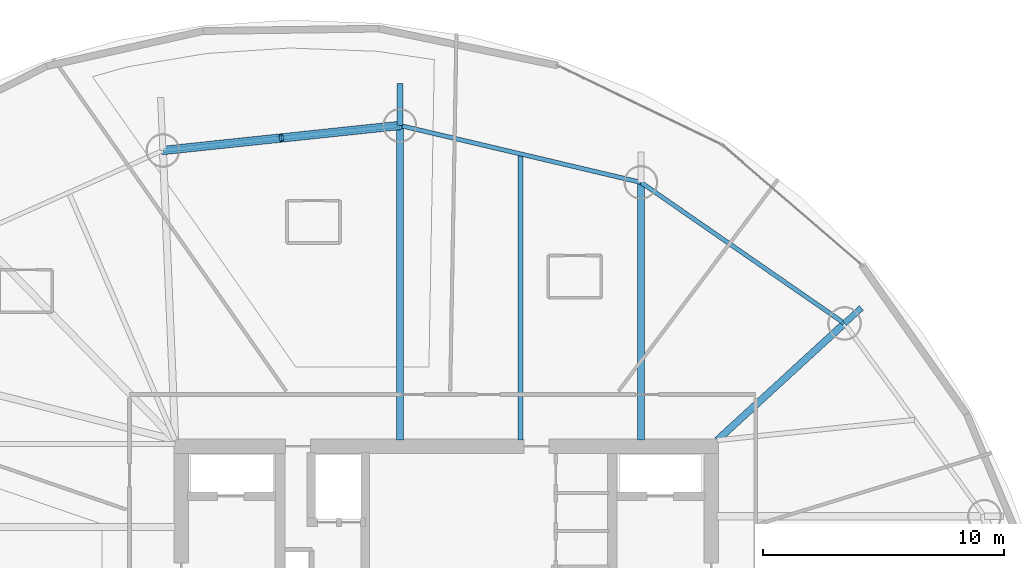
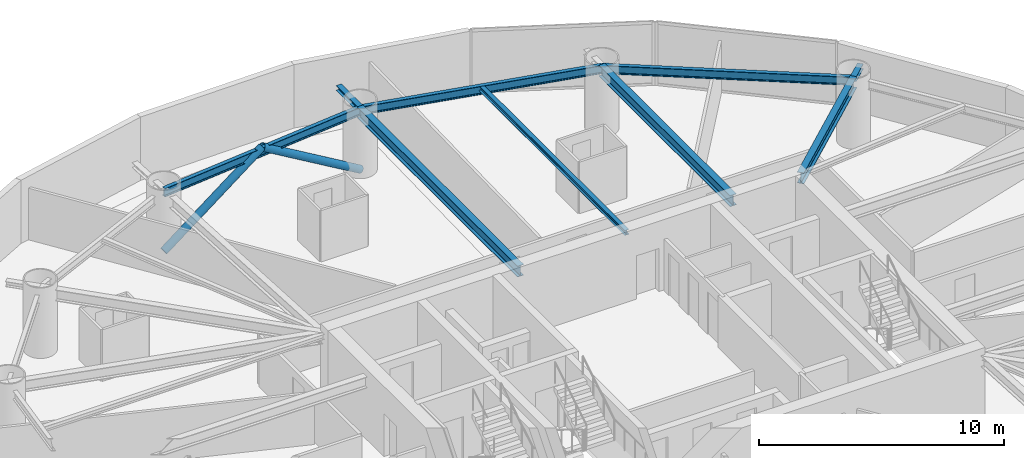
# One storey, part 13 of 21: 9 beams, 2 members.
"""IFC4 building model written with IfcOpenShell, lengths in metres."""

from ifc_helpers import new_model, si_unit, direction, frame, origin, origin_2d, place, context, subcontext, project, spatial, hollow_circle, i_section, extrude, material, material_profile, profile_set, type_object, element, save


model = new_model("IFC4")

# Units and contexts
model_context = context("Model", 3, precision=1e-05, world=origin(), true_north=direction((0.0, 1.0)))
body_context = subcontext(model_context, "Body", "Model", "MODEL_VIEW")
ifc_project = project(units=[si_unit("LENGTHUNIT", "METRE"), si_unit("AREAUNIT", "SQUARE_METRE"), si_unit("VOLUMEUNIT", "CUBIC_METRE"), si_unit("PLANEANGLEUNIT", "RADIAN"), si_unit("MASSUNIT", "GRAM", prefix="KILO")], contexts=[model_context])

# Site, building, storey
site_placement = place(None, origin())
site = spatial("IfcSite", under=ifc_project, at=site_placement, CompositionType="ELEMENT")
building_placement = place(site_placement, origin())
building = spatial("IfcBuilding", under=site, at=building_placement, Name="Bramvorn Convention Spire", CompositionType="ELEMENT")
storey_placement = place(building_placement, frame((0.0, 0.0, 162.300048828125)))
storey = spatial("IfcBuildingStorey", under=building, at=storey_placement, Name="L41", CompositionType="ELEMENT", Elevation=162.300048828125)

# Beams
ifc_material = material(Name="Steel CSA G40.21 Grade 350 (350W)", Category="steel")
ifc_material_profile_1 = material_profile(ifc_material, i_section(OverallWidth=0.201904296875, OverallDepth=0.2470703125, WebThickness=0.00732421875, FlangeThickness=0.010986328125, FilletRadius=0.011962890625, at=origin_2d()))
ifc_profile_set_1 = profile_set([ifc_material_profile_1], Name="Steel CSA G40.21 Grade 350 (350W) - W250X49")
beam_type_1 = type_object("IfcBeamType", Name="BM-W250X49", PredefinedType="JOIST", material=ifc_profile_set_1)
beam_1_placement = place(storey_placement, frame((41.079345703125, 33.449951171875, 3.0263671875), z_axis=(0.0, 1.0, 0.0), x_axis=(-1.0, 0.0, 0.0)))
element("IfcBeam", 1, at=beam_1_placement, inside=storey, type_object=beam_type_1, Name="L41 composite floor joist 05", PredefinedType="JOIST", context=body_context, shape_type="SweptSolid", body=[
    extrude(i_section(OverallWidth=0.201904296875, OverallDepth=0.2470703125, WebThickness=0.00732421875, FlangeThickness=0.010986328125, FilletRadius=0.011962890625, at=origin_2d()), origin(), (0.0, 0.0, 1.0), 11.8857421875),
])
ifc_material_profile_2 = material_profile(ifc_material, i_section(OverallWidth=0.25390625, OverallDepth=0.2529296875, WebThickness=0.008544921875, FlangeThickness=0.01416015625, FilletRadius=0.011962890625, at=origin_2d()))
ifc_profile_set_2 = profile_set([ifc_material_profile_2], Name="Steel CSA G40.21 Grade 350 (350W) - W250X73")
beam_type_2 = type_object("IfcBeamType", Name="BM-W250X73", PredefinedType="BEAM", material=ifc_profile_set_2)
beam_2_placement = place(storey_placement, frame((54.534912109375, 38.299072265625, 3.0234375), z_axis=(0.736770135327, 0.676143304108, 0.0), x_axis=(-0.676143304108, 0.736770135327, 0.0)))
element("IfcBeam", 2, at=beam_2_placement, inside=storey, type_object=beam_type_2, Name="L41 slab-edge cantilever tip beam MC04", PredefinedType="BEAM", context=body_context, shape_type="SweptSolid", body=[
    extrude(i_section(OverallWidth=0.25390625, OverallDepth=0.2529296875, WebThickness=0.008544921875, FlangeThickness=0.01416015625, FilletRadius=0.011962890625, at=origin_2d()), origin(), (0.0, 0.0, 1.0), 0.950439453125),
])
beam_3_placement = place(storey_placement, frame((36.075927734375, 46.517333984375, 3.0234375), z_axis=(0.0, 1.0, 0.0), x_axis=(-1.0, 0.0, 0.0)))
element("IfcBeam", 3, at=beam_3_placement, inside=storey, type_object=beam_type_2, Name="L41 slab-edge cantilever tip beam MC06", PredefinedType="BEAM", context=body_context, shape_type="SweptSolid", body=[
    extrude(i_section(OverallWidth=0.25390625, OverallDepth=0.2529296875, WebThickness=0.008544921875, FlangeThickness=0.01416015625, FilletRadius=0.011962890625, at=origin_2d()), origin(), (0.0, 0.0, 1.0), 1.740966796875),
])
ifc_material_profile_3 = material_profile(ifc_material, i_section(OverallWidth=0.180908203125, OverallDepth=0.4169921875, WebThickness=0.010986328125, FlangeThickness=0.018310546875, FilletRadius=0.01611328125, at=origin_2d()))
ifc_profile_set_3 = profile_set([ifc_material_profile_3], Name="Steel CSA G40.21 Grade 350 (350W) - W410X85")
beam_type_3 = type_object("IfcBeamType", Name="BM-W410X85", PredefinedType="JOIST", material=ifc_profile_set_3)
beam_4_placement = place(storey_placement, frame((54.534912109375, 38.299072265625, 2.94140625), z_axis=(-0.822033166673, 0.569439613032, 0.0), x_axis=(-0.569439613032, -0.822033166673, 0.0)))
element("IfcBeam", 4, at=beam_4_placement, inside=storey, type_object=beam_type_3, Name="L41 mega-column ring beam 04", PredefinedType="JOIST", context=body_context, shape_type="SweptSolid", body=[
    extrude(i_section(OverallWidth=0.180908203125, OverallDepth=0.4169921875, WebThickness=0.010986328125, FlangeThickness=0.018310546875, FilletRadius=0.01611328125, at=origin_2d()), origin(), (0.0, 0.0, 1.0), 10.281982421875),
])
beam_5_placement = place(storey_placement, frame((46.082763671875, 44.154052734375, 2.94140625), z_axis=(-0.97322750491, 0.229843911572, 0.0), x_axis=(-0.229843911572, -0.97322750491, 0.0)))
element("IfcBeam", 5, at=beam_5_placement, inside=storey, type_object=beam_type_3, Name="L41 mega-column ring beam 05", PredefinedType="JOIST", context=body_context, shape_type="SweptSolid", body=[
    extrude(i_section(OverallWidth=0.180908203125, OverallDepth=0.4169921875, WebThickness=0.010986328125, FlangeThickness=0.018310546875, FilletRadius=0.01611328125, at=origin_2d()), origin(), (0.0, 0.0, 1.0), 10.2822265625),
])
beam_6_placement = place(storey_placement, frame((36.075927734375, 46.517333984375, 2.94140625), z_axis=(-0.994473491975, -0.104987969596, 0.0), x_axis=(0.104987969596, -0.994473491975, 0.0)))
element("IfcBeam", 6, at=beam_6_placement, inside=storey, type_object=beam_type_3, Name="L41 mega-column ring beam 06", PredefinedType="JOIST", context=body_context, shape_type="SweptSolid", body=[
    extrude(i_section(OverallWidth=0.180908203125, OverallDepth=0.4169921875, WebThickness=0.010986328125, FlangeThickness=0.018310546875, FilletRadius=0.01611328125, at=origin_2d()), origin(), (0.0, 0.0, 1.0), 9.892333984375),
])
ifc_material_profile_4 = material_profile(ifc_material, i_section(OverallWidth=0.2919921875, OverallDepth=0.551025390625, WebThickness=0.01513671875, FlangeThickness=0.0244140625, FilletRadius=0.01904296875, at=origin_2d()))
ifc_profile_set_4 = profile_set([ifc_material_profile_4], Name="Steel CSA G40.21 Grade 350 (350W) - W530X182")
beam_type_4 = type_object("IfcBeamType", Name="BM-W530X182", PredefinedType="BEAM", material=ifc_profile_set_4)
beam_7_placement = place(storey_placement, frame((49.25, 33.449951171875, 2.87451171875), z_axis=(0.736833323746, 0.676074443399, 0.0), x_axis=(-0.676074443399, 0.736833323746, 0.0)))
element("IfcBeam", 7, at=beam_7_placement, inside=storey, type_object=beam_type_4, Name="L41 radial floor girder MC04", PredefinedType="BEAM", context=body_context, shape_type="SweptSolid", body=[
    extrude(i_section(OverallWidth=0.2919921875, OverallDepth=0.551025390625, WebThickness=0.01513671875, FlangeThickness=0.0244140625, FilletRadius=0.01904296875, at=origin_2d()), origin(), (0.0, 0.0, 1.0), 7.17236328125),
])
beam_8_placement = place(storey_placement, frame((46.082763671875, 33.449951171875, 2.87451171875), z_axis=(0.0, 1.0, 0.0), x_axis=(-1.0, 0.0, 0.0)))
element("IfcBeam", 8, at=beam_8_placement, inside=storey, type_object=beam_type_4, Name="L41 radial floor girder MC05", PredefinedType="BEAM", context=body_context, shape_type="SweptSolid", body=[
    extrude(i_section(OverallWidth=0.2919921875, OverallDepth=0.551025390625, WebThickness=0.01513671875, FlangeThickness=0.0244140625, FilletRadius=0.01904296875, at=origin_2d()), origin(), (0.0, 0.0, 1.0), 10.7041015625),
])
beam_9_placement = place(storey_placement, frame((36.075927734375, 33.449951171875, 2.87451171875), z_axis=(0.0, 1.0, 0.0), x_axis=(-1.0, 0.0, 0.0)))
element("IfcBeam", 9, at=beam_9_placement, inside=storey, type_object=beam_type_4, Name="L41 radial floor girder MC06", PredefinedType="BEAM", context=body_context, shape_type="SweptSolid", body=[
    extrude(i_section(OverallWidth=0.2919921875, OverallDepth=0.551025390625, WebThickness=0.01513671875, FlangeThickness=0.0244140625, FilletRadius=0.01904296875, at=origin_2d()), origin(), (0.0, 0.0, 1.0), 13.0673828125),
])

# Members
ifc_material_profile_5 = material_profile(ifc_material, hollow_circle(Radius=0.177734375, WallThickness=0.015869140625, at=origin_2d()))
ifc_profile_set_5 = profile_set([ifc_material_profile_5], Name="Steel CSA G40.21 Grade 350 (350W) - CHS356X16")
member_type = type_object("IfcMemberType", Name="MBR-CHS356X16", PredefinedType="BRACE", material=ifc_profile_set_5)
member_1_placement = place(storey_placement, frame((36.075927734375, 46.517333984375, 0.0), z_axis=(-0.83882481606, -0.088553721648, 0.53715097165), x_axis=(0.104985392894, -0.994473763997, 0.0)))
element("IfcMember", 10, at=member_1_placement, inside=storey, type_object=member_type, Name="L41 perimeter Gothic lancet brace 6A", PredefinedType="BRACE", context=body_context, shape_type="SweptSolid", body=[
    extrude(hollow_circle(Radius=0.177734375, WallThickness=0.015869140625, at=origin_2d()), origin(), (0.0, 0.0, 1.0), 5.864013671875),
])
member_2_placement = place(storey_placement, frame((26.23828125, 45.478759765625, 0.0), z_axis=(0.838812476473, 0.088556814288, 0.53716973105), x_axis=(-0.104990546424, 0.994473219932, 0.0)))
element("IfcMember", 11, at=member_2_placement, inside=storey, type_object=member_type, Name="L41 perimeter Gothic lancet brace 6B", PredefinedType="BRACE", context=body_context, shape_type="SweptSolid", body=[
    extrude(hollow_circle(Radius=0.177734375, WallThickness=0.015869140625, at=origin_2d()), origin(), (0.0, 0.0, 1.0), 5.86376953125),
])

save(model, "model.ifc")
